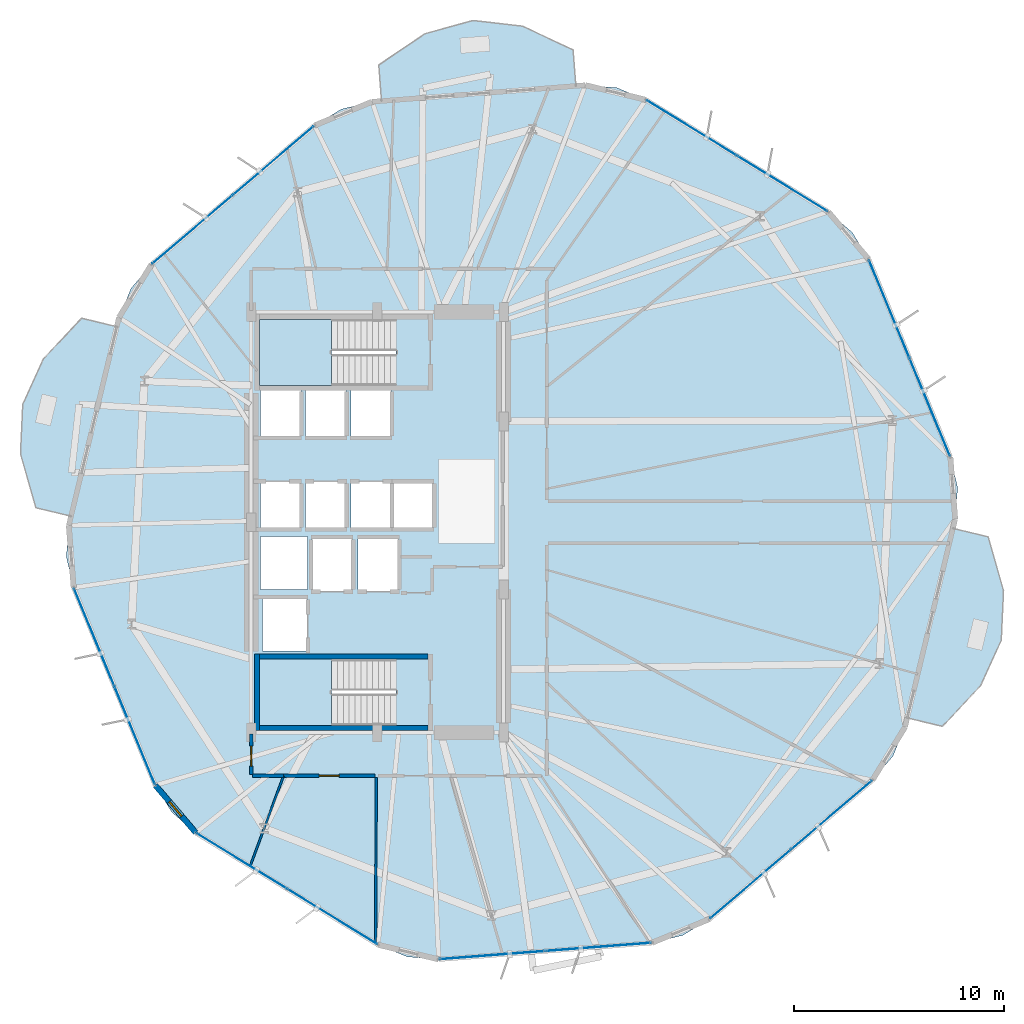
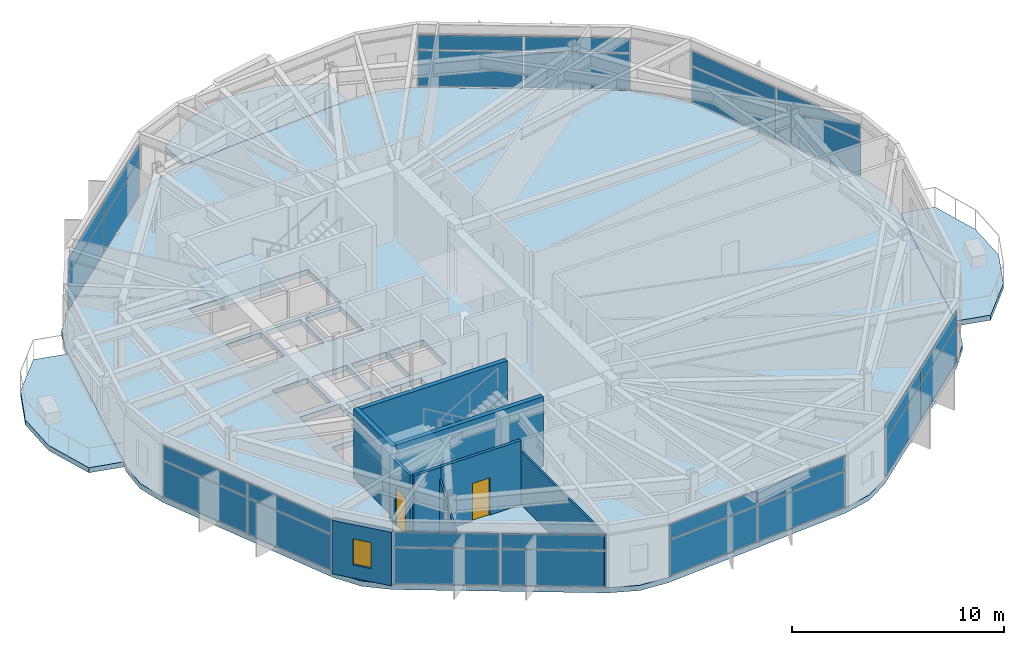
# One storey, part 15 of 22: 28 plates, 9 walls, 6 slabs, 2 doors, 1 window, 3 openings, 9 elements without a shape of their own.
"""IFC4 building model written with IfcOpenShell, lengths in metres."""

from ifc_helpers import new_model, si_unit, direction, frame, frame_2d, origin, origin_2d, place, context, subcontext, project, spatial, polyline, rectangle, outline, extrude, material, layer, layer_set, type_object, element, fill, aggregate, save


model = new_model("IFC4")

# Units and contexts
model_context = context("Model", 3, precision=1e-05, world=origin(), true_north=direction((0.0, 1.0)))
body_context = subcontext(model_context, "Body", "Model", "MODEL_VIEW")
ifc_project = project(units=[si_unit("LENGTHUNIT", "METRE"), si_unit("AREAUNIT", "SQUARE_METRE"), si_unit("VOLUMEUNIT", "CUBIC_METRE"), si_unit("PLANEANGLEUNIT", "RADIAN"), si_unit("MASSUNIT", "GRAM", prefix="KILO")], contexts=[model_context])

# Site, building, storey
site_placement = place(None, origin())
site = spatial("IfcSite", under=ifc_project, at=site_placement, CompositionType="ELEMENT")
building_placement = place(site_placement, origin())
building = spatial("IfcBuilding", under=site, at=building_placement, Name="Soratama Intermodal Tower", CompositionType="ELEMENT")
storey_placement = place(building_placement, frame((0.0, 0.0, 50.60009765625)))
storey = spatial("IfcBuildingStorey", under=building, at=storey_placement, Name="L11", CompositionType="ELEMENT", Elevation=50.60009765625)

# Curtain wall, plates
ifc_material_1 = material(Name="Double-glazed aluminium curtain wall", Category="aluminium")
ifc_layer_1 = layer(ifc_material_1, 0.159912109375)
ifc_layer_set_1 = layer_set([ifc_layer_1], Name="Double-glazed aluminium curtain wall")
curtain_wall_type = type_object("IfcCurtainWallType", Name="CW-SYS-2", PredefinedType="NOTDEFINED", material=ifc_layer_set_1)
curtain_wall_1_placement = place(storey_placement, origin())
curtain_wall_1 = element("IfcCurtainWall", 1, at=curtain_wall_1_placement, inside=storey, type_object=curtain_wall_type, Name="L11 Faceted Curtain Wall F01", PredefinedType="NOTDEFINED")
ifc_material_2 = material(Name="Low-E laminated double glazing", Category="glass")
ifc_layer_2 = layer(ifc_material_2, 0.031982421875)
ifc_layer_set_2 = layer_set([ifc_layer_2], Name="Low-E laminated double glazing")
plate_type = type_object("IfcPlateType", Name="PT-CWP-2", PredefinedType="CURTAIN_PANEL", material=ifc_layer_set_2)
plate_1_placement = place(storey_placement, frame((64.859130859375, 30.46826171875, 0.059814453125), z_axis=(0.0, 0.0, 1.0), x_axis=(-0.381722337323, 0.924277045689, 0.0)))
plate_1 = element("IfcPlate", 2, at=plate_1_placement, type_object=plate_type, Name="CW-2 panel 1.1", PredefinedType="CURTAIN_PANEL", context=body_context, shape_type="SweptSolid", body=[
    extrude(rectangle(XDim=4.99267578125, YDim=0.028076171875, at=origin_2d()), origin(), (0.0, 0.0, 1.0), 2.06005859375),
])
plate_2_placement = place(storey_placement, frame((64.859130859375, 30.46826171875, 2.1796875), z_axis=(0.0, 0.0, 1.0), x_axis=(-0.381722337323, 0.924277045689, 0.0)))
plate_2 = element("IfcPlate", 3, at=plate_2_placement, type_object=plate_type, Name="CW-2 panel 1.2", PredefinedType="CURTAIN_PANEL", context=body_context, shape_type="SweptSolid", body=[
    extrude(rectangle(XDim=4.99267578125, YDim=0.028076171875, at=origin_2d()), origin(), (0.0, 0.0, 1.0), 0.839111328125),
])
plate_3_placement = place(storey_placement, frame((62.930419921875, 35.13818359375, 0.059814453125), z_axis=(0.0, 0.0, 1.0), x_axis=(-0.381722337323, 0.924277045689, 0.0)))
plate_3 = element("IfcPlate", 4, at=plate_3_placement, type_object=plate_type, Name="CW-2 panel 2.1", PredefinedType="CURTAIN_PANEL", context=body_context, shape_type="SweptSolid", body=[
    extrude(rectangle(XDim=4.99267578125, YDim=0.028076171875, at=origin_2d()), origin(), (0.0, 0.0, 1.0), 2.06005859375),
])
plate_4_placement = place(storey_placement, frame((62.930419921875, 35.13818359375, 2.1796875), z_axis=(0.0, 0.0, 1.0), x_axis=(-0.381722337323, 0.924277045689, 0.0)))
plate_4 = element("IfcPlate", 5, at=plate_4_placement, type_object=plate_type, Name="CW-2 panel 2.2", PredefinedType="CURTAIN_PANEL", context=body_context, shape_type="SweptSolid", body=[
    extrude(rectangle(XDim=4.99267578125, YDim=0.028076171875, at=origin_2d()), origin(), (0.0, 0.0, 1.0), 0.839111328125),
])
aggregate(curtain_wall_1, [plate_1, plate_2, plate_3, plate_4])

curtain_wall_2_placement = place(storey_placement, origin())
curtain_wall_2 = element("IfcCurtainWall", 6, at=curtain_wall_2_placement, inside=storey, type_object=curtain_wall_type, Name="L11 Faceted Curtain Wall F02", PredefinedType="NOTDEFINED")
plate_5_placement = place(storey_placement, frame((57.852294921875, 41.096923828125, 0.059814453125), z_axis=(0.0, 0.0, 1.0), x_axis=(-0.852096105285, 0.523385352641, 0.0)))
plate_5 = element("IfcPlate", 7, at=plate_5_placement, type_object=plate_type, Name="CW-2 panel 1.1", PredefinedType="CURTAIN_PANEL", context=body_context, shape_type="SweptSolid", body=[
    extrude(rectangle(XDim=4.99267578125, YDim=0.028076171875, at=origin_2d()), origin(), (0.0, 0.0, 1.0), 2.06005859375),
])
plate_6_placement = place(storey_placement, frame((57.852294921875, 41.096923828125, 2.1796875), z_axis=(0.0, 0.0, 1.0), x_axis=(-0.852096105285, 0.523385352641, 0.0)))
plate_6 = element("IfcPlate", 8, at=plate_6_placement, type_object=plate_type, Name="CW-2 panel 1.2", PredefinedType="CURTAIN_PANEL", context=body_context, shape_type="SweptSolid", body=[
    extrude(rectangle(XDim=4.99267578125, YDim=0.028076171875, at=origin_2d()), origin(), (0.0, 0.0, 1.0), 0.839111328125),
])
plate_7_placement = place(storey_placement, frame((53.546875, 43.7412109375, 0.059814453125), z_axis=(0.0, 0.0, 1.0), x_axis=(-0.852096105285, 0.523385352641, 0.0)))
plate_7 = element("IfcPlate", 9, at=plate_7_placement, type_object=plate_type, Name="CW-2 panel 2.1", PredefinedType="CURTAIN_PANEL", context=body_context, shape_type="SweptSolid", body=[
    extrude(rectangle(XDim=4.99267578125, YDim=0.028076171875, at=origin_2d()), origin(), (0.0, 0.0, 1.0), 2.06005859375),
])
plate_8_placement = place(storey_placement, frame((53.546875, 43.7412109375, 2.1796875), z_axis=(0.0, 0.0, 1.0), x_axis=(-0.852096105285, 0.523385352641, 0.0)))
plate_8 = element("IfcPlate", 10, at=plate_8_placement, type_object=plate_type, Name="CW-2 panel 2.2", PredefinedType="CURTAIN_PANEL", context=body_context, shape_type="SweptSolid", body=[
    extrude(rectangle(XDim=4.99267578125, YDim=0.028076171875, at=origin_2d()), origin(), (0.0, 0.0, 1.0), 0.839111328125),
])
aggregate(curtain_wall_2, [plate_5, plate_6, plate_7, plate_8])

curtain_wall_3_placement = place(storey_placement, origin())
curtain_wall_3 = element("IfcCurtainWall", 11, at=curtain_wall_3_placement, inside=storey, type_object=curtain_wall_type, Name="L11 Faceted Curtain Wall F04", PredefinedType="NOTDEFINED")
plate_9_placement = place(storey_placement, frame((33.66259765625, 42.197265625, 0.059814453125), z_axis=(0.0, 0.0, 1.0), x_axis=(-0.761084752752, -0.648652448642, 0.0)))
plate_9 = element("IfcPlate", 12, at=plate_9_placement, type_object=plate_type, Name="CW-2 panel 1.1", PredefinedType="CURTAIN_PANEL", context=body_context, shape_type="SweptSolid", body=[
    extrude(rectangle(XDim=4.99267578125, YDim=0.028076171875, at=origin_2d()), origin(), (0.0, 0.0, 1.0), 2.06005859375),
])
plate_10_placement = place(storey_placement, frame((33.66259765625, 42.197265625, 2.1796875), z_axis=(0.0, 0.0, 1.0), x_axis=(-0.761084752752, -0.648652448642, 0.0)))
plate_10 = element("IfcPlate", 13, at=plate_10_placement, type_object=plate_type, Name="CW-2 panel 1.2", PredefinedType="CURTAIN_PANEL", context=body_context, shape_type="SweptSolid", body=[
    extrude(rectangle(XDim=4.99267578125, YDim=0.028076171875, at=origin_2d()), origin(), (0.0, 0.0, 1.0), 0.839111328125),
])
plate_11_placement = place(storey_placement, frame((29.817138671875, 38.919921875, 0.059814453125), z_axis=(0.0, 0.0, 1.0), x_axis=(-0.761084752752, -0.648652448642, 0.0)))
plate_11 = element("IfcPlate", 14, at=plate_11_placement, type_object=plate_type, Name="CW-2 panel 2.1", PredefinedType="CURTAIN_PANEL", context=body_context, shape_type="SweptSolid", body=[
    extrude(rectangle(XDim=4.99267578125, YDim=0.028076171875, at=origin_2d()), origin(), (0.0, 0.0, 1.0), 2.06005859375),
])
plate_12_placement = place(storey_placement, frame((29.817138671875, 38.919921875, 2.1796875), z_axis=(0.0, 0.0, 1.0), x_axis=(-0.761084752752, -0.648652448642, 0.0)))
plate_12 = element("IfcPlate", 15, at=plate_12_placement, type_object=plate_type, Name="CW-2 panel 2.2", PredefinedType="CURTAIN_PANEL", context=body_context, shape_type="SweptSolid", body=[
    extrude(rectangle(XDim=4.99267578125, YDim=0.028076171875, at=origin_2d()), origin(), (0.0, 0.0, 1.0), 0.839111328125),
])
aggregate(curtain_wall_3, [plate_9, plate_10, plate_11, plate_12])

curtain_wall_4_placement = place(storey_placement, origin())
curtain_wall_4 = element("IfcCurtainWall", 16, at=curtain_wall_4_placement, inside=storey, type_object=curtain_wall_type, Name="L11 Faceted Curtain Wall F06", PredefinedType="NOTDEFINED")
plate_13_placement = place(storey_placement, frame((25.140869140625, 19.53173828125, 0.059814453125), z_axis=(0.0, 0.0, 1.0), x_axis=(0.381722337323, -0.924277045689, 0.0)))
plate_13 = element("IfcPlate", 17, at=plate_13_placement, type_object=plate_type, Name="CW-2 panel 1.1", PredefinedType="CURTAIN_PANEL", context=body_context, shape_type="SweptSolid", body=[
    extrude(rectangle(XDim=4.99267578125, YDim=0.028076171875, at=origin_2d()), origin(), (0.0, 0.0, 1.0), 2.06005859375),
])
plate_14_placement = place(storey_placement, frame((25.140869140625, 19.53173828125, 2.1796875), z_axis=(0.0, 0.0, 1.0), x_axis=(0.381722337323, -0.924277045689, 0.0)))
plate_14 = element("IfcPlate", 18, at=plate_14_placement, type_object=plate_type, Name="CW-2 panel 1.2", PredefinedType="CURTAIN_PANEL", context=body_context, shape_type="SweptSolid", body=[
    extrude(rectangle(XDim=4.99267578125, YDim=0.028076171875, at=origin_2d()), origin(), (0.0, 0.0, 1.0), 0.839111328125),
])
plate_15_placement = place(storey_placement, frame((27.069580078125, 14.86181640625, 0.059814453125), z_axis=(0.0, 0.0, 1.0), x_axis=(0.381722337323, -0.924277045689, 0.0)))
plate_15 = element("IfcPlate", 19, at=plate_15_placement, type_object=plate_type, Name="CW-2 panel 2.1", PredefinedType="CURTAIN_PANEL", context=body_context, shape_type="SweptSolid", body=[
    extrude(rectangle(XDim=4.99267578125, YDim=0.028076171875, at=origin_2d()), origin(), (0.0, 0.0, 1.0), 2.06005859375),
])
plate_16_placement = place(storey_placement, frame((27.069580078125, 14.86181640625, 2.1796875), z_axis=(0.0, 0.0, 1.0), x_axis=(0.381722337323, -0.924277045689, 0.0)))
plate_16 = element("IfcPlate", 20, at=plate_16_placement, type_object=plate_type, Name="CW-2 panel 2.2", PredefinedType="CURTAIN_PANEL", context=body_context, shape_type="SweptSolid", body=[
    extrude(rectangle(XDim=4.99267578125, YDim=0.028076171875, at=origin_2d()), origin(), (0.0, 0.0, 1.0), 0.839111328125),
])
aggregate(curtain_wall_4, [plate_13, plate_14, plate_15, plate_16])

curtain_wall_5_placement = place(storey_placement, origin())
curtain_wall_5 = element("IfcCurtainWall", 21, at=curtain_wall_5_placement, inside=storey, type_object=curtain_wall_type, Name="L11 Faceted Curtain Wall F07", PredefinedType="NOTDEFINED")
plate_17_placement = place(storey_placement, frame((32.147705078125, 8.903076171875, 0.059814453125), z_axis=(0.0, 0.0, 1.0), x_axis=(0.852096105285, -0.523385352641, 0.0)))
plate_17 = element("IfcPlate", 22, at=plate_17_placement, type_object=plate_type, Name="CW-2 panel 1.1", PredefinedType="CURTAIN_PANEL", context=body_context, shape_type="SweptSolid", body=[
    extrude(rectangle(XDim=4.99267578125, YDim=0.028076171875, at=origin_2d()), origin(), (0.0, 0.0, 1.0), 2.06005859375),
])
plate_18_placement = place(storey_placement, frame((32.147705078125, 8.903076171875, 2.1796875), z_axis=(0.0, 0.0, 1.0), x_axis=(0.852096105285, -0.523385352641, 0.0)))
plate_18 = element("IfcPlate", 23, at=plate_18_placement, type_object=plate_type, Name="CW-2 panel 1.2", PredefinedType="CURTAIN_PANEL", context=body_context, shape_type="SweptSolid", body=[
    extrude(rectangle(XDim=4.99267578125, YDim=0.028076171875, at=origin_2d()), origin(), (0.0, 0.0, 1.0), 0.839111328125),
])
plate_19_placement = place(storey_placement, frame((36.453125, 6.2587890625, 0.059814453125), z_axis=(0.0, 0.0, 1.0), x_axis=(0.852096105285, -0.523385352641, 0.0)))
plate_19 = element("IfcPlate", 24, at=plate_19_placement, type_object=plate_type, Name="CW-2 panel 2.1", PredefinedType="CURTAIN_PANEL", context=body_context, shape_type="SweptSolid", body=[
    extrude(rectangle(XDim=4.99267578125, YDim=0.028076171875, at=origin_2d()), origin(), (0.0, 0.0, 1.0), 2.06005859375),
])
plate_20_placement = place(storey_placement, frame((36.453125, 6.2587890625, 2.1796875), z_axis=(0.0, 0.0, 1.0), x_axis=(0.852096105285, -0.523385352641, 0.0)))
plate_20 = element("IfcPlate", 25, at=plate_20_placement, type_object=plate_type, Name="CW-2 panel 2.2", PredefinedType="CURTAIN_PANEL", context=body_context, shape_type="SweptSolid", body=[
    extrude(rectangle(XDim=4.99267578125, YDim=0.028076171875, at=origin_2d()), origin(), (0.0, 0.0, 1.0), 0.839111328125),
])
aggregate(curtain_wall_5, [plate_17, plate_18, plate_19, plate_20])

curtain_wall_6_placement = place(storey_placement, origin())
curtain_wall_6 = element("IfcCurtainWall", 26, at=curtain_wall_6_placement, inside=storey, type_object=curtain_wall_type, Name="L11 Faceted Curtain Wall F08", PredefinedType="NOTDEFINED")
plate_21_placement = place(storey_placement, frame((44.063720703125, 4.423095703125, 0.059814453125), z_axis=(0.0, 0.0, 1.0), x_axis=(0.996999255212, 0.077411143297, 0.0)))
plate_21 = element("IfcPlate", 27, at=plate_21_placement, type_object=plate_type, Name="CW-2 panel 1.1", PredefinedType="CURTAIN_PANEL", context=body_context, shape_type="SweptSolid", body=[
    extrude(rectangle(XDim=4.99267578125, YDim=0.028076171875, at=origin_2d()), origin(), (0.0, 0.0, 1.0), 2.06005859375),
])
plate_22_placement = place(storey_placement, frame((44.063720703125, 4.423095703125, 2.1796875), z_axis=(0.0, 0.0, 1.0), x_axis=(0.996999255212, 0.077411143297, 0.0)))
plate_22 = element("IfcPlate", 28, at=plate_22_placement, type_object=plate_type, Name="CW-2 panel 1.2", PredefinedType="CURTAIN_PANEL", context=body_context, shape_type="SweptSolid", body=[
    extrude(rectangle(XDim=4.99267578125, YDim=0.028076171875, at=origin_2d()), origin(), (0.0, 0.0, 1.0), 0.839111328125),
])
plate_23_placement = place(storey_placement, frame((49.101318359375, 4.814208984375, 0.059814453125), z_axis=(0.0, 0.0, 1.0), x_axis=(0.996999255212, 0.077411143297, 0.0)))
plate_23 = element("IfcPlate", 29, at=plate_23_placement, type_object=plate_type, Name="CW-2 panel 2.1", PredefinedType="CURTAIN_PANEL", context=body_context, shape_type="SweptSolid", body=[
    extrude(rectangle(XDim=4.99267578125, YDim=0.028076171875, at=origin_2d()), origin(), (0.0, 0.0, 1.0), 2.06005859375),
])
plate_24_placement = place(storey_placement, frame((49.101318359375, 4.814208984375, 2.1796875), z_axis=(0.0, 0.0, 1.0), x_axis=(0.996999255212, 0.077411143297, 0.0)))
plate_24 = element("IfcPlate", 30, at=plate_24_placement, type_object=plate_type, Name="CW-2 panel 2.2", PredefinedType="CURTAIN_PANEL", context=body_context, shape_type="SweptSolid", body=[
    extrude(rectangle(XDim=4.99267578125, YDim=0.028076171875, at=origin_2d()), origin(), (0.0, 0.0, 1.0), 0.839111328125),
])
aggregate(curtain_wall_6, [plate_21, plate_22, plate_23, plate_24])

curtain_wall_7_placement = place(storey_placement, origin())
curtain_wall_7 = element("IfcCurtainWall", 31, at=curtain_wall_7_placement, inside=storey, type_object=curtain_wall_type, Name="L11 Faceted Curtain Wall F09", PredefinedType="NOTDEFINED")
plate_25_placement = place(storey_placement, frame((56.33740234375, 7.802734375, 0.059814453125), z_axis=(0.0, 0.0, 1.0), x_axis=(0.761084752752, 0.648652448642, 0.0)))
plate_25 = element("IfcPlate", 32, at=plate_25_placement, type_object=plate_type, Name="CW-2 panel 1.1", PredefinedType="CURTAIN_PANEL", context=body_context, shape_type="SweptSolid", body=[
    extrude(rectangle(XDim=4.99267578125, YDim=0.028076171875, at=origin_2d()), origin(), (0.0, 0.0, 1.0), 2.06005859375),
])
plate_26_placement = place(storey_placement, frame((56.33740234375, 7.802734375, 2.1796875), z_axis=(0.0, 0.0, 1.0), x_axis=(0.761084752752, 0.648652448642, 0.0)))
plate_26 = element("IfcPlate", 33, at=plate_26_placement, type_object=plate_type, Name="CW-2 panel 1.2", PredefinedType="CURTAIN_PANEL", context=body_context, shape_type="SweptSolid", body=[
    extrude(rectangle(XDim=4.99267578125, YDim=0.028076171875, at=origin_2d()), origin(), (0.0, 0.0, 1.0), 0.839111328125),
])
plate_27_placement = place(storey_placement, frame((60.182861328125, 11.080078125, 0.059814453125), z_axis=(0.0, 0.0, 1.0), x_axis=(0.761084752752, 0.648652448642, 0.0)))
plate_27 = element("IfcPlate", 34, at=plate_27_placement, type_object=plate_type, Name="CW-2 panel 2.1", PredefinedType="CURTAIN_PANEL", context=body_context, shape_type="SweptSolid", body=[
    extrude(rectangle(XDim=4.99267578125, YDim=0.028076171875, at=origin_2d()), origin(), (0.0, 0.0, 1.0), 2.06005859375),
])
plate_28_placement = place(storey_placement, frame((60.182861328125, 11.080078125, 2.1796875), z_axis=(0.0, 0.0, 1.0), x_axis=(0.761084752752, 0.648652448642, 0.0)))
plate_28 = element("IfcPlate", 35, at=plate_28_placement, type_object=plate_type, Name="CW-2 panel 2.2", PredefinedType="CURTAIN_PANEL", context=body_context, shape_type="SweptSolid", body=[
    extrude(rectangle(XDim=4.99267578125, YDim=0.028076171875, at=origin_2d()), origin(), (0.0, 0.0, 1.0), 0.839111328125),
])
aggregate(curtain_wall_7, [plate_25, plate_26, plate_27, plate_28])

# Slabs
ifc_material_3 = material(Name="Concrete f'c 42 MPa", Category="concrete")
ifc_layer_3 = layer(ifc_material_3, 0.2900390625)
ifc_layer_set_3 = layer_set([ifc_layer_3], Name="Concrete f'c 42 MPa")
slab_type_1 = type_object("IfcSlabType", Name="SL-EXT-BAL2", PredefinedType="FLOOR", material=ifc_layer_set_3)
slab_1_placement = place(storey_placement, frame((0.0, 0.0, -0.2900390625)))
element("IfcSlab", 36, at=slab_1_placement, inside=storey, type_object=slab_type_1, Name="L11 Planted Balcony East 1", PredefinedType="FLOOR", context=body_context, shape_type="SweptSolid", body=[
    extrude(outline(polyline([(63.78662109375, 15.70361328125), (65.958984375, 24.71044921875), (67.631103515625, 24.30712890625), (68.3623046875, 21.748046875), (68.255859375, 19.39111328125), (67.276123046875, 17.24462890625), (65.458740234375, 15.30029296875), (63.78662109375, 15.70361328125)])), origin(), (0.0, 0.0, 1.0), 0.2900390625),
])
slab_2_placement = place(storey_placement, frame((0.0, 0.0, -0.2900390625)))
element("IfcSlab", 37, at=slab_2_placement, inside=storey, type_object=slab_type_1, Name="L11 Planted Balcony North 2", PredefinedType="FLOOR", context=body_context, shape_type="SweptSolid", body=[
    extrude(outline(polyline([(48.0361328125, 45.739990234375), (38.798583984375, 45.022705078125), (38.66552734375, 46.737548828125), (40.87353515625, 48.223876953125), (43.148193359375, 48.850830078125), (45.4921875, 48.58251953125), (47.903076171875, 47.454833984375), (48.0361328125, 45.739990234375)])), origin(), (0.0, 0.0, 1.0), 0.2900390625),
])
slab_3_placement = place(storey_placement, frame((0.0, 0.0, -0.2900390625)))
element("IfcSlab", 38, at=slab_3_placement, inside=storey, type_object=slab_type_1, Name="L11 Planted Balcony West 3", PredefinedType="FLOOR", context=body_context, shape_type="SweptSolid", body=[
    extrude(outline(polyline([(26.21337890625, 34.29638671875), (24.041015625, 25.28955078125), (22.368896484375, 25.69287109375), (21.6376953125, 28.251953125), (21.744140625, 30.60888671875), (22.723876953125, 32.75537109375), (24.541259765625, 34.69970703125), (26.21337890625, 34.29638671875)])), origin(), (0.0, 0.0, 1.0), 0.2900390625),
])

# Stair, slab
ifc_material_4 = material(Name="Concrete f'c 42 MPa", Category="concrete")
stair_type = type_object("IfcStairType", Name="ST-CORE-DOGLEG", PredefinedType="HALF_TURN_STAIR", material=ifc_material_4)
stair_1_placement = place(storey_placement, origin())
stair_1 = element("IfcStair", 39, at=stair_1_placement, inside=storey, type_object=stair_type, Name="L11 ST-1", PredefinedType="HALF_TURN_STAIR")
ifc_material_5 = material(Name="Concrete f'c 42 MPa", Category="concrete")
ifc_layer_4 = layer(ifc_material_5, 0.219970703125)
ifc_layer_set_4 = layer_set([ifc_layer_4], Name="Concrete f'c 42 MPa")
slab_type_2 = type_object("IfcSlabType", Name="SL-STAIR-LAND", PredefinedType="LANDING", material=ifc_layer_set_4)
slab_4_placement = place(storey_placement, frame((0.0, 0.0, 1.7998046875)))
slab_4 = element("IfcSlab", 40, at=slab_4_placement, type_object=slab_type_2, Name="ST-1 landing 1", PredefinedType="LANDING", context=body_context, shape_type="SweptSolid", body=[
    extrude(outline(polyline([(36.419921875, 18.5), (33.0, 18.5), (33.0, 15.35009765625), (36.419921875, 15.35009765625), (36.419921875, 18.5)])), origin(), (0.0, 0.0, 1.0), 0.2001953125),
])
aggregate(stair_1, [slab_4])

stair_2_placement = place(storey_placement, origin())
stair_2 = element("IfcStair", 41, at=stair_2_placement, inside=storey, type_object=stair_type, Name="L11 ST-2", PredefinedType="HALF_TURN_STAIR")
slab_5_placement = place(storey_placement, frame((0.0, 0.0, 1.7998046875)))
slab_5 = element("IfcSlab", 42, at=slab_5_placement, type_object=slab_type_2, Name="ST-2 landing 1", PredefinedType="LANDING", context=body_context, shape_type="SweptSolid", body=[
    extrude(outline(polyline([(36.419921875, 34.64990234375), (33.0, 34.64990234375), (33.0, 31.5), (36.419921875, 31.5), (36.419921875, 34.64990234375)])), origin(), (0.0, 0.0, 1.0), 0.2001953125),
])
aggregate(stair_2, [slab_5])

# Slab
ifc_material_6 = material(Name="Concrete f'c 42 MPa", Category="concrete")
ifc_layer_5 = layer(ifc_material_6, 0.280029296875)
ifc_layer_set_5 = layer_set([ifc_layer_5], Name="Concrete f'c 42 MPa")
slab_type_3 = type_object("IfcSlabType", Name="SL-TWR-280", PredefinedType="FLOOR", material=ifc_layer_set_5)
slab_6_placement = place(storey_placement, frame((0.0, 0.0, -0.300048828125)))
element("IfcSlab", 43, at=slab_6_placement, inside=storey, type_object=slab_type_3, Name="L11 Structural Floor Slab", PredefinedType="FLOOR", context=body_context, shape_type="SweptSolid", body=[
    extrude(outline(polyline([(66.064453125, 25.14794921875), (66.183837890625, 26.64501953125), (65.8349609375, 28.10546875), (61.95458984375, 37.5009765625), (61.17138671875, 38.7822265625), (60.030517578125, 39.7587890625), (51.36865234375, 45.0791015625), (49.981689453125, 45.655517578125), (48.48486328125, 45.77490234375), (38.35009765625, 44.98779296875), (36.889404296875, 44.638916015625), (35.608154296875, 43.85546875), (27.87158203125, 37.26171875), (26.89501953125, 36.120849609375), (26.31884765625, 34.73388671875), (23.935546875, 24.85205078125), (23.816162109375, 23.35498046875), (24.1650390625, 21.89453125), (28.04541015625, 12.4990234375), (28.82861328125, 11.2177734375), (29.969482421875, 10.2412109375), (38.63134765625, 4.9208984375), (40.018310546875, 4.344482421875), (41.51513671875, 4.22509765625), (51.64990234375, 5.01220703125), (53.110595703125, 5.361083984375), (54.391845703125, 6.14453125), (62.12841796875, 12.73828125), (63.10498046875, 13.879150390625), (63.68115234375, 15.26611328125), (66.064453125, 25.14794921875)]), holes=[polyline([(33.0, 18.5), (33.0, 15.35009765625), (39.47509765625, 15.35009765625), (39.47509765625, 18.5), (33.0, 18.5)]), polyline([(35.260009765625, 18.889892578125), (35.260009765625, 21.409912109375), (33.139892578125, 21.409912109375), (33.139892578125, 18.889892578125), (35.260009765625, 18.889892578125)]), polyline([(33.050048828125, 21.800048828125), (35.280029296875, 21.800048828125), (35.280029296875, 24.320068359375), (33.050048828125, 24.320068359375), (33.050048828125, 21.800048828125)]), polyline([(34.9599609375, 26.909912109375), (33.0400390625, 26.909912109375), (33.0400390625, 24.68994140625), (34.9599609375, 24.68994140625), (34.9599609375, 26.909912109375)]), polyline([(37.110107421875, 24.68994140625), (37.110107421875, 26.909912109375), (35.18994140625, 26.909912109375), (35.18994140625, 24.68994140625), (37.110107421875, 24.68994140625)]), polyline([(34.9599609375, 29.0400390625), (34.9599609375, 31.260009765625), (33.0400390625, 31.260009765625), (33.0400390625, 29.0400390625), (34.9599609375, 29.0400390625)]), polyline([(37.110107421875, 31.260009765625), (35.18994140625, 31.260009765625), (35.18994140625, 29.0400390625), (37.110107421875, 29.0400390625), (37.110107421875, 31.260009765625)]), polyline([(37.409912109375, 21.739990234375), (37.409912109375, 24.260009765625), (35.489990234375, 24.260009765625), (35.489990234375, 21.739990234375), (37.409912109375, 21.739990234375)]), polyline([(39.610107421875, 21.739990234375), (39.610107421875, 24.260009765625), (37.68994140625, 24.260009765625), (37.68994140625, 21.739990234375), (39.610107421875, 21.739990234375)]), polyline([(39.260009765625, 24.68994140625), (39.260009765625, 26.909912109375), (37.340087890625, 26.909912109375), (37.340087890625, 24.68994140625), (39.260009765625, 24.68994140625)]), polyline([(41.260009765625, 24.68994140625), (41.260009765625, 26.909912109375), (39.340087890625, 26.909912109375), (39.340087890625, 24.68994140625), (41.260009765625, 24.68994140625)]), polyline([(39.260009765625, 29.0400390625), (39.260009765625, 31.260009765625), (37.340087890625, 31.260009765625), (37.340087890625, 29.0400390625), (39.260009765625, 29.0400390625)]), polyline([(39.47509765625, 34.64990234375), (33.0, 34.64990234375), (33.0, 31.5), (39.47509765625, 31.5), (39.47509765625, 34.64990234375)])]), origin(), (0.0, 0.0, 1.0), 0.300048828125),
])

# Wall, opening, window
ifc_material_7 = material(Name="Concrete f'c 42 MPa", Category="concrete")
ifc_layer_6 = layer(ifc_material_7, 0.27001953125)
ifc_layer_set_6 = layer_set([ifc_layer_6], Name="Concrete f'c 42 MPa")
wall_type_1 = type_object("IfcWallType", Name="EW-CRN-270", PredefinedType="SOLIDWALL", material=ifc_layer_set_6)
wall_1_placement = place(storey_placement, frame((28.04541015625, 12.4990234375, 0.0), z_axis=(0.0, 0.0, 1.0), x_axis=(0.648613054241, -0.761118325799, 0.0)))
wall_1 = element("IfcWall", 44, at=wall_1_placement, inside=storey, type_object=wall_type_1, Name="L11 Corner Closure Wall 06", PredefinedType="SOLIDWALL", context=body_context, shape_type="SweptSolid", body=[
    extrude(rectangle(XDim=2.966552734375, YDim=0.27001953125, at=frame_2d((1.4833984375, 0.0))), origin(), (0.0, 0.0, 1.0), 3.078857421875),
])
opening_1_placement = place(wall_1_placement, frame((1.033203125, 0.0, 0.75)))
opening_1 = element("IfcOpeningElement", 45, at=opening_1_placement, cuts=wall_1, Name="Opening WN-6", PredefinedType="OPENING", context=body_context, shape_type="SweptSolid", body=[
    extrude(rectangle(XDim=0.89990234375, YDim=1.5, at=frame_2d((0.449951171875, 0.75))), frame((0.0, 0.14501953125, 0.0), z_axis=(0.0, -1.0, 0.0), x_axis=(1.0, 0.0, 0.0)), (0.0, 0.0, 1.0), 0.2900390625),
])
ifc_material_8 = material(Name="Double-glazed aluminium window", Category="aluminium")
window_type = type_object("IfcWindowType", Name="WN-FAC-900", PartitioningType="SINGLE_PANEL", PredefinedType="WINDOW", material=ifc_material_8)
window_placement = place(opening_1_placement, origin())
window = element("IfcWindow", 46, at=window_placement, inside=storey, type_object=window_type, Name="L11 Corner Window 06", OverallHeight=1.5, OverallWidth=0.89990234375, PartitioningType="SINGLE_PANEL", PredefinedType="WINDOW", context=body_context, shape_type="SweptSolid", body=[
    extrude(rectangle(XDim=0.89990234375, YDim=1.5, at=frame_2d((0.449951171875, 0.75))), frame((0.0, 0.030029296875, 0.0), z_axis=(0.0, -1.0, 0.0), x_axis=(1.0, 0.0, 0.0)), (0.0, 0.0, 1.0), 0.06005859375),
])
fill(opening_1, window)

# Wall, opening, door
ifc_material_9 = material(Name="Fire-rated gypsum stud partition", Category="concrete")
ifc_layer_7 = layer(ifc_material_9, 0.159912109375)
ifc_layer_set_7 = layer_set([ifc_layer_7], Name="Fire-rated gypsum stud partition")
wall_type_2 = type_object("IfcWallType", Name="IW-PART-R160", PredefinedType="PARTITIONING", material=ifc_layer_set_7)
wall_2_placement = place(storey_placement, frame((38.47900390625, 12.949951171875, 0.0), z_axis=(0.0, 0.0, 1.0), x_axis=(-1.0, 0.0, 0.0)))
wall_2 = element("IfcWall", 47, at=wall_2_placement, inside=storey, type_object=wall_type_2, Name="L11 Partition W-L11-TP021", PredefinedType="PARTITIONING", context=body_context, shape_type="SweptSolid", body=[
    extrude(rectangle(XDim=4.3359375, YDim=0.159912109375, at=frame_2d((2.16796875, 0.0))), origin(), (0.0, 0.0, 1.0), 3.699951171875),
])
opening_2_placement = place(wall_2_placement, frame((1.693115234375, 0.0, 0.0)))
opening_2 = element("IfcOpeningElement", 48, at=opening_2_placement, cuts=wall_2, Name="Opening ID-3", PredefinedType="OPENING", context=body_context, shape_type="SweptSolid", body=[
    extrude(rectangle(XDim=0.949951171875, YDim=2.14990234375, at=frame_2d((0.47509765625, 1.074951171875))), frame((0.0, 0.08984375, 0.0), z_axis=(0.0, -1.0, 0.0), x_axis=(1.0, 0.0, 0.0)), (0.0, 0.0, 1.0), 0.179931640625),
])
ifc_material_10 = material(Name="Solid hardwood acoustic door", Category="wood")
door_type = type_object("IfcDoorType", Name="DR-ROOM-950", OperationType="NOTDEFINED", PredefinedType="DOOR", material=ifc_material_10)
door_1_placement = place(opening_2_placement, origin())
door_1 = element("IfcDoor", 49, at=door_1_placement, inside=storey, type_object=door_type, Name="L11 Door D-L11-TP007", OperationType="SINGLE_SWING_RIGHT", OverallHeight=2.14990234375, OverallWidth=0.949951171875, PredefinedType="DOOR", context=body_context, shape_type="SweptSolid", body=[
    extrude(rectangle(XDim=0.949951171875, YDim=2.14990234375, at=frame_2d((0.47509765625, 1.074951171875))), frame((0.0, 0.02490234375, 0.0), z_axis=(0.0, -1.0, 0.0), x_axis=(1.0, 0.0, 0.0)), (0.0, 0.0, 1.0), 0.050048828125),
])
fill(opening_2, door_1)

wall_3_placement = place(storey_placement, frame((32.60009765625, 13.02001953125, 0.0), z_axis=(0.0, 0.0, 1.0), x_axis=(0.0, 1.0, 0.0)))
wall_3 = element("IfcWall", 50, at=wall_3_placement, inside=storey, type_object=wall_type_2, Name="L11 Partition W-L11-TP031", PredefinedType="PARTITIONING", context=body_context, shape_type="SweptSolid", body=[
    extrude(rectangle(XDim=1.909912109375, YDim=0.159912109375, at=frame_2d((0.955078125, 0.0))), origin(), (0.0, 0.0, 1.0), 3.699951171875),
])
opening_3_placement = place(wall_3_placement, frame((0.384033203125, 0.0, 0.0)))
opening_3 = element("IfcOpeningElement", 51, at=opening_3_placement, cuts=wall_3, Name="Opening ID-3", PredefinedType="OPENING", context=body_context, shape_type="SweptSolid", body=[
    extrude(rectangle(XDim=0.949951171875, YDim=2.14990234375, at=frame_2d((0.47509765625, 1.074951171875))), frame((0.0, 0.08984375, 0.0), z_axis=(0.0, -1.0, 0.0), x_axis=(1.0, 0.0, 0.0)), (0.0, 0.0, 1.0), 0.179931640625),
])
door_2_placement = place(opening_3_placement, origin())
door_2 = element("IfcDoor", 52, at=door_2_placement, inside=storey, type_object=door_type, Name="L11 Door D-L11-TP017", OperationType="SINGLE_SWING_RIGHT", OverallHeight=2.14990234375, OverallWidth=0.949951171875, PredefinedType="DOOR", context=body_context, shape_type="SweptSolid", body=[
    extrude(rectangle(XDim=0.949951171875, YDim=2.14990234375, at=frame_2d((0.47509765625, 1.074951171875))), frame((0.0, 0.02490234375, 0.0), z_axis=(0.0, -1.0, 0.0), x_axis=(1.0, 0.0, 0.0)), (0.0, 0.0, 1.0), 0.050048828125),
])
fill(opening_3, door_2)

# Walls
wall_4_placement = place(storey_placement, frame((34.14306640625, 12.949951171875, 0.0), z_axis=(0.0, 0.0, 1.0), x_axis=(-1.0, 0.0, 0.0)))
element("IfcWall", 53, at=wall_4_placement, inside=storey, type_object=wall_type_2, Name="L11 Partition W-L11-TP033", PredefinedType="PARTITIONING", context=body_context, shape_type="SweptSolid", body=[
    extrude(rectangle(XDim=1.47314453125, YDim=0.159912109375, at=frame_2d((0.736572265625, 0.0))), origin(), (0.0, 0.0, 1.0), 3.699951171875),
])
ifc_material_11 = material(Name="Fire-rated gypsum stud partition", Category="concrete")
ifc_layer_8 = layer(ifc_material_11, 0.10009765625)
ifc_layer_set_8 = layer_set([ifc_layer_8], Name="Fire-rated gypsum stud partition")
wall_type_3 = type_object("IfcWallType", Name="IW-PART-S100", PredefinedType="PARTITIONING", material=ifc_layer_set_8)
wall_5_placement = place(storey_placement, frame((34.14306640625, 12.949951171875, 0.0), z_axis=(0.0, 0.0, 1.0), x_axis=(-0.346937618719, -0.93788820694, 0.0)))
element("IfcWall", 54, at=wall_5_placement, inside=storey, type_object=wall_type_3, Name="L11 Partition W-L11-TP019", PredefinedType="PARTITIONING", context=body_context, shape_type="SweptSolid", body=[
    extrude(rectangle(XDim=4.580322265625, YDim=0.10009765625, at=frame_2d((2.2900390625, 0.0))), origin(), (0.0, 0.0, 1.0), 2.994873046875),
])
ifc_material_12 = material(Name="Fire-rated gypsum stud partition", Category="concrete")
ifc_layer_9 = layer(ifc_material_12, 0.110107421875)
ifc_layer_set_9 = layer_set([ifc_layer_9], Name="Fire-rated gypsum stud partition")
wall_type_4 = type_object("IfcWallType", Name="IW-PART-S110", PredefinedType="PARTITIONING", material=ifc_layer_set_9)
wall_6_placement = place(storey_placement, frame((38.549072265625, 12.8798828125, 0.0), z_axis=(0.0, 0.0, 1.0), x_axis=(-0.004333117264, -0.999990612003, 0.0)))
element("IfcWall", 55, at=wall_6_placement, inside=storey, type_object=wall_type_4, Name="L11 Partition W-L11-TP013", PredefinedType="PARTITIONING", context=body_context, shape_type="SweptSolid", body=[
    extrude(rectangle(XDim=7.887939453125, YDim=0.110107421875, at=frame_2d((3.94384765625, 0.0))), origin(), (0.0, 0.0, 1.0), 3.077880859375),
])
ifc_material_13 = material(Name="Concrete f'c 56 MPa", Category="concrete")
ifc_layer_10 = layer(ifc_material_13, 0.239990234375)
ifc_layer_set_10 = layer_set([ifc_layer_10], Name="Concrete f'c 56 MPa")
wall_type_5 = type_object("IfcWallType", Name="SW-STAIR-240", PredefinedType="SHEAR", material=ifc_layer_set_10)
wall_7_placement = place(storey_placement, frame((32.8798828125, 15.110107421875, 0.0), z_axis=(0.0, 0.0, 1.0), x_axis=(0.0, 1.0, 0.0)))
element("IfcWall", 56, at=wall_7_placement, inside=storey, type_object=wall_type_5, Name="L11 ST-1 Shaft Shear Wall W", PredefinedType="SHEAR", context=body_context, shape_type="SweptSolid", body=[
    extrude(rectangle(XDim=3.6298828125, YDim=0.239990234375, at=frame_2d((1.81494140625, 0.0))), origin(), (0.0, 0.0, 1.0), 4.0),
])
for number, where, z_axis, x_axis, name in (
    (57, (33.0, 15.22998046875, 0.0), (0.0, 0.0, 1.0), (1.0, 0.0, 0.0), "L11 ST-1 Shaft Shear Wall S"),
    (58, (33.0, 18.6201171875, 0.0), (0.0, 0.0, 1.0), (1.0, 0.0, 0.0), "L11 ST-1 Shaft Shear Wall N"),
):
    element("IfcWall", number, at=place(storey_placement, frame(where, z_axis=z_axis, x_axis=x_axis)), inside=storey, type_object=wall_type_5, Name=name, PredefinedType="SHEAR", context=body_context, shape_type="SweptSolid", body=[
        extrude(rectangle(XDim=8.0, YDim=0.239990234375, at=frame_2d((4.0, 0.0))), origin(), (0.0, 0.0, 1.0), 4.0),
    ])

save(model, "model.ifc")
